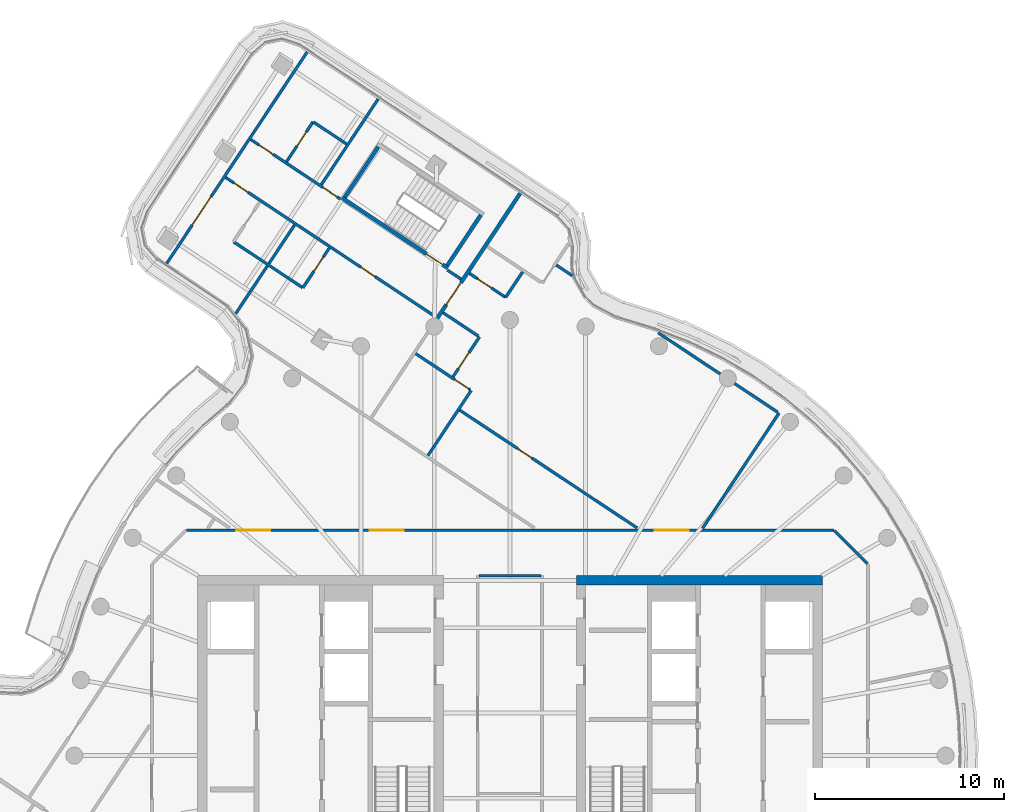
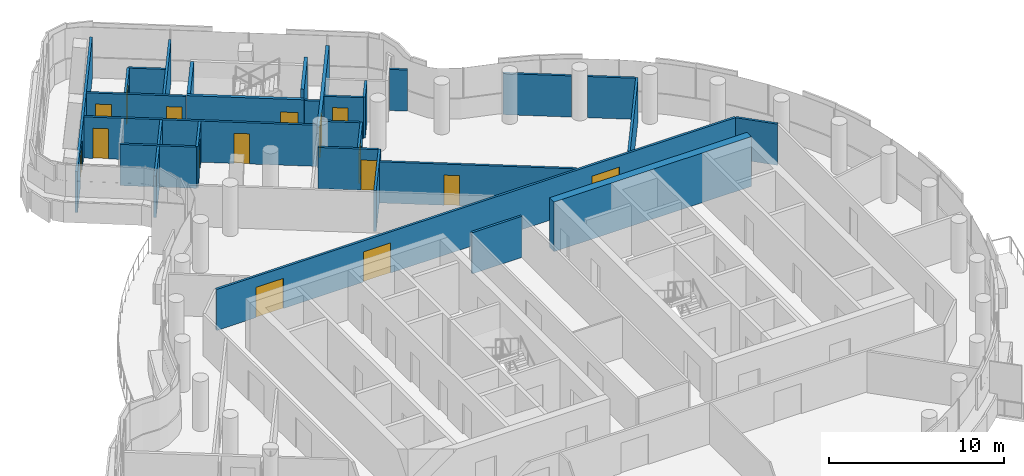
# One storey, part 20 of 27: 29 walls, 16 doors, 16 openings.
"""IFC4 building model written with IfcOpenShell, lengths in metres."""

from ifc_helpers import new_model, si_unit, direction, frame, frame_2d, origin, place, context, subcontext, project, spatial, polyline, rectangle, outline, extrude, material, layer, layer_set, type_object, element, fill, save


model = new_model("IFC4")

# Units and contexts
model_context = context("Model", 3, precision=1e-05, world=origin(), true_north=direction((0.0, 1.0)))
body_context = subcontext(model_context, "Body", "Model", "MODEL_VIEW")
ifc_project = project(units=[si_unit("LENGTHUNIT", "METRE"), si_unit("AREAUNIT", "SQUARE_METRE"), si_unit("VOLUMEUNIT", "CUBIC_METRE"), si_unit("PLANEANGLEUNIT", "RADIAN"), si_unit("MASSUNIT", "GRAM", prefix="KILO")], contexts=[model_context])

# Site, building, storey
site_placement = place(None, origin())
site = spatial("IfcSite", under=ifc_project, at=site_placement, CompositionType="ELEMENT")
building_placement = place(site_placement, origin())
building = spatial("IfcBuilding", under=site, at=building_placement, Name="Tamarind Cross Interchange Tower", CompositionType="ELEMENT")
storey_placement = place(building_placement, frame((0.0, 0.0, 237.89990234375)))
storey = spatial("IfcBuildingStorey", under=building, at=storey_placement, Name="L60", CompositionType="ELEMENT", Elevation=237.89990234375)

# Walls
ifc_material_1 = material(Name="Concrete C50", Category="concrete")
ifc_layer_1 = layer(ifc_material_1, 0.5)
ifc_layer_set_1 = layer_set([ifc_layer_1], Name="Concrete C50")
wall_type_1 = type_object("IfcWallType", Name="Core wall 500 mm Concrete C50", PredefinedType="SHEAR", material=ifc_layer_set_1)
wall_1_placement = place(storey_placement, frame((16.5, 9.25, 0.0), z_axis=(0.0, 0.0, 1.0), x_axis=(-1.0, 0.0, 0.0)))
element("IfcWall", 1, at=wall_1_placement, inside=storey, type_object=wall_type_1, Name="Core wall CWL-L60-E-NE", PredefinedType="SHEAR", context=body_context, shape_type="SweptSolid", body=[
    extrude(rectangle(XDim=13.0, YDim=0.5, at=frame_2d((6.5, 0.0))), origin(), (0.0, 0.0, 1.0), 3.460205078125),
])
ifc_material_2 = material(Name="Gypsum board partition on steel studs", Category="steel")
ifc_layer_2 = layer(ifc_material_2, 0.14990234375)
ifc_layer_set_2 = layer_set([ifc_layer_2], Name="Gypsum board partition on steel studs")
wall_type_2 = type_object("IfcWallType", Name="Partition 150 mm EI 120", PredefinedType="PARTITIONING", material=ifc_layer_set_2)
wall_2_placement = place(storey_placement, frame((17.12841796875, 11.87158203125, 0.0), z_axis=(0.0, 0.0, 1.0), x_axis=(0.707106781187, -0.707106781187, 0.0)))
element("IfcWall", 2, at=wall_2_placement, inside=storey, type_object=wall_type_2, Name="Partition L60-003", PredefinedType="PARTITIONING", context=body_context, shape_type="SweptSolid", body=[
    extrude(rectangle(XDim=2.465087890625, YDim=0.14990234375, at=frame_2d((1.232421875, 0.0))), origin(), (0.0, 0.0, 1.0), 2.864013671875),
])

# Wall, openings, doors
wall_3_placement = place(storey_placement, frame((-15.009521484375, 30.52490234375, 0.0), z_axis=(0.0, 0.0, 1.0), x_axis=(0.833117507286, -0.553096030589, 0.0)))
wall_3 = element("IfcWall", 3, at=wall_3_placement, inside=storey, type_object=wall_type_2, Name="Partition L60-013", PredefinedType="PARTITIONING", context=body_context, shape_type="SweptSolid", body=[
    extrude(rectangle(XDim=13.319580078125, YDim=0.14990234375, at=frame_2d((6.65966796875, 0.0))), origin(), (0.0, 0.0, 1.0), 2.864013671875),
])
opening_1_placement = place(wall_3_placement, frame((8.5693359375, 0.0, 0.0)))
opening_1 = element("IfcOpeningElement", 4, at=opening_1_placement, cuts=wall_3, Name="Opening D05", PredefinedType="OPENING", context=body_context, shape_type="SweptSolid", body=[
    extrude(rectangle(XDim=0.89990234375, YDim=2.10009765625, at=frame_2d((0.449951171875, 1.050048828125))), frame((0.0, 0.0849609375, 0.0), z_axis=(0.0, -1.0, 0.0), x_axis=(1.0, 0.0, 0.0)), (0.0, 0.0, 1.0), 0.169921875),
])
opening_2_placement = place(wall_3_placement, frame((0.52001953125, 0.0, 0.0)))
opening_2 = element("IfcOpeningElement", 5, at=opening_2_placement, cuts=wall_3, Name="Opening D06", PredefinedType="OPENING", context=body_context, shape_type="SweptSolid", body=[
    extrude(rectangle(XDim=0.89990234375, YDim=2.10009765625, at=frame_2d((0.449951171875, 1.050048828125))), frame((0.0, 0.0849609375, 0.0), z_axis=(0.0, -1.0, 0.0), x_axis=(1.0, 0.0, 0.0)), (0.0, 0.0, 1.0), 0.169921875),
])
ifc_material_3 = material(Name="Fire-resisting door set")
door_type_1 = type_object("IfcDoorType", Name="Interior door 900 x 2100 FD60S", OperationType="SINGLE_SWING_LEFT", PredefinedType="DOOR", material=ifc_material_3)
door_1_placement = place(opening_1_placement, frame((0.89990234375, 0.0, 0.0), z_axis=(0.0, 0.0, 1.0), x_axis=(-1.0, 0.0, 0.0)))
door_1 = element("IfcDoor", 6, at=door_1_placement, inside=storey, type_object=door_type_1, Name="Door D05", OperationType="SINGLE_SWING_RIGHT", OverallHeight=2.10009765625, OverallWidth=0.89990234375, PredefinedType="DOOR", context=body_context, shape_type="SweptSolid", body=[
    extrude(rectangle(XDim=0.89990234375, YDim=2.10009765625, at=frame_2d((0.449951171875, 1.050048828125))), frame((0.0, 0.02490234375, 0.0), z_axis=(0.0, -1.0, 0.0), x_axis=(1.0, 0.0, 0.0)), (0.0, 0.0, 1.0), 0.050048828125),
])
fill(opening_1, door_1)
door_2_placement = place(opening_2_placement, frame((0.89990234375, 0.0, 0.0), z_axis=(0.0, 0.0, 1.0), x_axis=(-1.0, 0.0, 0.0)))
door_2 = element("IfcDoor", 7, at=door_2_placement, inside=storey, type_object=door_type_1, Name="Door D06", OperationType="SINGLE_SWING_LEFT", OverallHeight=2.10009765625, OverallWidth=0.89990234375, PredefinedType="DOOR", context=body_context, shape_type="SweptSolid", body=[
    extrude(rectangle(XDim=0.89990234375, YDim=2.10009765625, at=frame_2d((0.449951171875, 1.050048828125))), frame((0.0, 0.02490234375, 0.0), z_axis=(0.0, -1.0, 0.0), x_axis=(1.0, 0.0, 0.0)), (0.0, 0.0, 1.0), 0.050048828125),
])
fill(opening_2, door_2)

# Wall
wall_4_placement = place(storey_placement, frame((-14.581298828125, 27.119873046875, 0.0), z_axis=(0.0, 0.0, 1.0), x_axis=(0.832953813906, -0.553342519511, 0.0)))
element("IfcWall", 8, at=wall_4_placement, inside=storey, type_object=wall_type_2, Name="Partition L60-014", PredefinedType="PARTITIONING", context=body_context, shape_type="SweptSolid", body=[
    extrude(rectangle(XDim=4.359619140625, YDim=0.14990234375, at=frame_2d((2.1796875, 0.0))), origin(), (0.0, 0.0, 1.0), 2.864013671875),
])

# Wall, openings, doors
wall_5_placement = place(storey_placement, frame((-13.682373046875, 32.52490234375, 0.0), z_axis=(0.0, 0.0, 1.0), x_axis=(0.833100180443, -0.553122128779, 0.0)))
wall_5 = element("IfcWall", 9, at=wall_5_placement, inside=storey, type_object=wall_type_2, Name="Partition L60-015", PredefinedType="PARTITIONING", context=body_context, shape_type="SweptSolid", body=[
    extrude(rectangle(XDim=5.68017578125, YDim=0.14990234375, at=frame_2d((2.840087890625, 0.0))), origin(), (0.0, 0.0, 1.0), 2.864013671875),
])
opening_3_placement = place(wall_5_placement, frame((0.52001953125, 0.0, 0.0)))
opening_3 = element("IfcOpeningElement", 10, at=opening_3_placement, cuts=wall_5, Name="Opening D07", PredefinedType="OPENING", context=body_context, shape_type="SweptSolid", body=[
    extrude(rectangle(XDim=0.89990234375, YDim=2.10009765625, at=frame_2d((0.449951171875, 1.050048828125))), frame((0.0, 0.0849609375, 0.0), z_axis=(0.0, -1.0, 0.0), x_axis=(1.0, 0.0, 0.0)), (0.0, 0.0, 1.0), 0.169921875),
])
opening_4_placement = place(wall_5_placement, frame((4.570068359375, 0.0, 0.0)))
opening_4 = element("IfcOpeningElement", 11, at=opening_4_placement, cuts=wall_5, Name="Opening D08", PredefinedType="OPENING", context=body_context, shape_type="SweptSolid", body=[
    extrude(rectangle(XDim=0.89990234375, YDim=2.10009765625, at=frame_2d((0.449951171875, 1.050048828125))), frame((0.0, 0.0849609375, 0.0), z_axis=(0.0, -1.0, 0.0), x_axis=(1.0, 0.0, 0.0)), (0.0, 0.0, 1.0), 0.169921875),
])
door_3_placement = place(opening_3_placement, origin())
door_3 = element("IfcDoor", 12, at=door_3_placement, inside=storey, type_object=door_type_1, Name="Door D07", OperationType="SINGLE_SWING_RIGHT", OverallHeight=2.10009765625, OverallWidth=0.89990234375, PredefinedType="DOOR", context=body_context, shape_type="SweptSolid", body=[
    extrude(rectangle(XDim=0.89990234375, YDim=2.10009765625, at=frame_2d((0.449951171875, 1.050048828125))), frame((0.0, 0.02490234375, 0.0), z_axis=(0.0, -1.0, 0.0), x_axis=(1.0, 0.0, 0.0)), (0.0, 0.0, 1.0), 0.050048828125),
])
fill(opening_3, door_3)
door_4_placement = place(opening_4_placement, origin())
door_4 = element("IfcDoor", 13, at=door_4_placement, inside=storey, type_object=door_type_1, Name="Door D08", OperationType="SINGLE_SWING_LEFT", OverallHeight=2.10009765625, OverallWidth=0.89990234375, PredefinedType="DOOR", context=body_context, shape_type="SweptSolid", body=[
    extrude(rectangle(XDim=0.89990234375, YDim=2.10009765625, at=frame_2d((0.449951171875, 1.050048828125))), frame((0.0, 0.02490234375, 0.0), z_axis=(0.0, -1.0, 0.0), x_axis=(1.0, 0.0, 0.0)), (0.0, 0.0, 1.0), 0.050048828125),
])
fill(opening_4, door_4)

# Walls
wall_6_placement = place(storey_placement, frame((-3.301513671875, 25.6328125, 0.0), z_axis=(0.0, 0.0, 1.0), x_axis=(0.833097223734, -0.553126582084, 0.0)))
element("IfcWall", 14, at=wall_6_placement, inside=storey, type_object=wall_type_2, Name="Partition L60-016", PredefinedType="PARTITIONING", context=body_context, shape_type="SweptSolid", body=[
    extrude(rectangle(XDim=0.85986328125, YDim=0.14990234375, at=frame_2d((0.429931640625, 0.0))), origin(), (0.0, 0.0, 1.0), 2.864013671875),
])
wall_7_placement = place(storey_placement, frame((-10.37841796875, 33.450927734375, 0.0), z_axis=(0.0, 0.0, 1.0), x_axis=(0.833336009995, -0.552766763153, 0.0)))
element("IfcWall", 15, at=wall_7_placement, inside=storey, type_object=wall_type_2, Name="Partition L60-018", PredefinedType="PARTITIONING", context=body_context, shape_type="SweptSolid", body=[
    extrude(rectangle(XDim=2.099609375, YDim=0.14990234375, at=frame_2d((1.0498046875, 0.0))), origin(), (0.0, 0.0, 1.0), 2.864013671875),
])

# Wall, opening, door
wall_8_placement = place(storey_placement, frame((-4.9794921875, 21.224853515625, 0.0), z_axis=(0.0, 0.0, 1.0), x_axis=(0.833117303945, -0.553096336877, 0.0)))
wall_8 = element("IfcWall", 16, at=wall_8_placement, inside=storey, type_object=wall_type_2, Name="Partition L60-019", PredefinedType="PARTITIONING", context=body_context, shape_type="SweptSolid", body=[
    extrude(rectangle(XDim=3.44482421875, YDim=0.14990234375, at=frame_2d((1.722412109375, 0.0))), origin(), (0.0, 0.0, 1.0), 2.864013671875),
])
opening_5_placement = place(wall_8_placement, frame((2.469482421875, 0.0, 0.0)))
opening_5 = element("IfcOpeningElement", 17, at=opening_5_placement, cuts=wall_8, Name="Opening D09", PredefinedType="OPENING", context=body_context, shape_type="SweptSolid", body=[
    extrude(rectangle(XDim=0.89990234375, YDim=2.10009765625, at=frame_2d((0.449951171875, 1.050048828125))), frame((0.0, 0.0849609375, 0.0), z_axis=(0.0, -1.0, 0.0), x_axis=(1.0, 0.0, 0.0)), (0.0, 0.0, 1.0), 0.169921875),
])
door_5_placement = place(opening_5_placement, frame((0.89990234375, 0.0, 0.0), z_axis=(0.0, 0.0, 1.0), x_axis=(-1.0, 0.0, 0.0)))
door_5 = element("IfcDoor", 18, at=door_5_placement, inside=storey, type_object=door_type_1, Name="Door D09", OperationType="SINGLE_SWING_RIGHT", OverallHeight=2.10009765625, OverallWidth=0.89990234375, PredefinedType="DOOR", context=body_context, shape_type="SweptSolid", body=[
    extrude(rectangle(XDim=0.89990234375, YDim=2.10009765625, at=frame_2d((0.449951171875, 1.050048828125))), frame((0.0, 0.02490234375, 0.0), z_axis=(0.0, -1.0, 0.0), x_axis=(1.0, 0.0, 0.0)), (0.0, 0.0, 1.0), 0.050048828125),
])
fill(opening_5, door_5)

# Wall
wall_9_placement = place(storey_placement, frame((-3.524658203125, 23.379638671875, 0.0), z_axis=(0.0, 0.0, 1.0), x_axis=(0.83314621035, -0.553052793302, 0.0)))
element("IfcWall", 19, at=wall_9_placement, inside=storey, type_object=wall_type_2, Name="Partition L60-020", PredefinedType="PARTITIONING", context=body_context, shape_type="SweptSolid", body=[
    extrude(rectangle(XDim=2.224365234375, YDim=0.14990234375, at=frame_2d((1.1123046875, 0.0))), origin(), (0.0, 0.0, 1.0), 2.864013671875),
])

# Wall, opening, door
wall_10_placement = place(storey_placement, frame((-2.644287109375, 18.23388671875, 0.0), z_axis=(0.0, 0.0, 1.0), x_axis=(0.833101748675, -0.553119766737, 0.0)))
wall_10 = element("IfcWall", 20, at=wall_10_placement, inside=storey, type_object=wall_type_2, Name="Partition L60-021", PredefinedType="PARTITIONING", context=body_context, shape_type="SweptSolid", body=[
    extrude(rectangle(XDim=11.236328125, YDim=0.14990234375, at=frame_2d((5.6181640625, 0.0))), origin(), (0.0, 0.0, 1.0), 2.864013671875),
])
opening_6_placement = place(wall_10_placement, frame((3.669921875, 0.0, 0.0)))
opening_6 = element("IfcOpeningElement", 21, at=opening_6_placement, cuts=wall_10, Name="Opening D10", PredefinedType="OPENING", context=body_context, shape_type="SweptSolid", body=[
    extrude(rectangle(XDim=0.89990234375, YDim=2.10009765625, at=frame_2d((0.449951171875, 1.050048828125))), frame((0.0, 0.0849609375, 0.0), z_axis=(0.0, -1.0, 0.0), x_axis=(1.0, 0.0, 0.0)), (0.0, 0.0, 1.0), 0.169921875),
])
door_6_placement = place(opening_6_placement, frame((0.89990234375, 0.0, 0.0), z_axis=(0.0, 0.0, 1.0), x_axis=(-1.0, 0.0, 0.0)))
door_6 = element("IfcDoor", 22, at=door_6_placement, inside=storey, type_object=door_type_1, Name="Door D10", OperationType="SINGLE_SWING_LEFT", OverallHeight=2.10009765625, OverallWidth=0.89990234375, PredefinedType="DOOR", context=body_context, shape_type="SweptSolid", body=[
    extrude(rectangle(XDim=0.89990234375, YDim=2.10009765625, at=frame_2d((0.449951171875, 1.050048828125))), frame((0.0, 0.02490234375, 0.0), z_axis=(0.0, -1.0, 0.0), x_axis=(1.0, 0.0, 0.0)), (0.0, 0.0, 1.0), 0.050048828125),
])
fill(opening_6, door_6)

wall_11_placement = place(storey_placement, frame((-2.138427734375, 25.4599609375, 0.0), z_axis=(0.0, 0.0, 1.0), x_axis=(0.833269970846, -0.552866309053, 0.0)))
wall_11 = element("IfcWall", 23, at=wall_11_placement, inside=storey, type_object=wall_type_2, Name="Partition L60-022", PredefinedType="PARTITIONING", context=body_context, shape_type="SweptSolid", body=[
    extrude(rectangle(XDim=2.275146484375, YDim=0.14990234375, at=frame_2d((1.1376953125, 0.0))), origin(), (0.0, 0.0, 1.0), 2.864013671875),
])
opening_7_placement = place(wall_11_placement, frame((0.4951171875, 0.0, 0.0)))
opening_7 = element("IfcOpeningElement", 24, at=opening_7_placement, cuts=wall_11, Name="Opening D11", PredefinedType="OPENING", context=body_context, shape_type="SweptSolid", body=[
    extrude(rectangle(XDim=0.89990234375, YDim=2.10009765625, at=frame_2d((0.449951171875, 1.050048828125))), frame((0.0, 0.0849609375, 0.0), z_axis=(0.0, -1.0, 0.0), x_axis=(1.0, 0.0, 0.0)), (0.0, 0.0, 1.0), 0.169921875),
])
door_7_placement = place(opening_7_placement, origin())
door_7 = element("IfcDoor", 25, at=door_7_placement, inside=storey, type_object=door_type_1, Name="Door D11", OperationType="SINGLE_SWING_RIGHT", OverallHeight=2.10009765625, OverallWidth=0.89990234375, PredefinedType="DOOR", context=body_context, shape_type="SweptSolid", body=[
    extrude(rectangle(XDim=0.89990234375, YDim=2.10009765625, at=frame_2d((0.449951171875, 1.050048828125))), frame((0.0, 0.02490234375, 0.0), z_axis=(0.0, -1.0, 0.0), x_axis=(1.0, 0.0, 0.0)), (0.0, 0.0, 1.0), 0.050048828125),
])
fill(opening_7, door_7)

# Walls
wall_12_placement = place(storey_placement, frame((2.444580078125, 25.898681640625, 0.0), z_axis=(0.0, 0.0, 1.0), x_axis=(0.832974807339, -0.553310916519, 0.0)))
element("IfcWall", 26, at=wall_12_placement, inside=storey, type_object=wall_type_2, Name="Partition L60-024", PredefinedType="PARTITIONING", context=body_context, shape_type="SweptSolid", body=[
    extrude(rectangle(XDim=1.014404296875, YDim=0.14990234375, at=frame_2d((0.50732421875, 0.0))), origin(), (0.0, 0.0, 1.0), 2.864013671875),
])
wall_13_placement = place(storey_placement, frame((7.827880859375, 22.32177734375, 0.0), z_axis=(0.0, 0.0, 1.0), x_axis=(0.832880849794, -0.553452337646, 0.0)))
element("IfcWall", 27, at=wall_13_placement, inside=storey, type_object=wall_type_2, Name="Partition L60-025", PredefinedType="PARTITIONING", context=body_context, shape_type="SweptSolid", body=[
    extrude(rectangle(XDim=3.929931640625, YDim=0.14990234375, at=frame_2d((1.96484375, 0.0))), origin(), (0.0, 0.0, 1.0), 2.864013671875),
])
wall_14_placement = place(storey_placement, frame((11.855224609375, 19.6455078125, 0.0), z_axis=(0.0, 0.0, 1.0), x_axis=(0.832883714018, -0.553448027302, 0.0)))
element("IfcWall", 28, at=wall_14_placement, inside=storey, type_object=wall_type_2, Name="Partition L60-026", PredefinedType="PARTITIONING", context=body_context, shape_type="SweptSolid", body=[
    extrude(rectangle(XDim=2.74609375, YDim=0.14990234375, at=frame_2d((1.373046875, 0.0))), origin(), (0.0, 0.0, 1.0), 2.864013671875),
])

# Wall, openings, doors
wall_15_placement = place(storey_placement, frame((-17.06494140625, 11.89990234375, 0.0), z_axis=(0.0, 0.0, 1.0), x_axis=(1.0, 0.0, 0.0)))
wall_15 = element("IfcWall", 29, at=wall_15_placement, inside=storey, type_object=wall_type_2, Name="Partition L60-028", PredefinedType="PARTITIONING", context=body_context, shape_type="SweptSolid", body=[
    extrude(rectangle(XDim=34.1650390625, YDim=0.14990234375, at=frame_2d((17.08251953125, 0.0))), origin(), (0.0, 0.0, 1.0), 2.864013671875),
])
opening_8_placement = place(wall_15_placement, frame((24.7109375, 0.0, 0.0)))
opening_8 = element("IfcOpeningElement", 30, at=opening_8_placement, cuts=wall_15, Name="Opening D16", PredefinedType="OPENING", context=body_context, shape_type="SweptSolid", body=[
    extrude(rectangle(XDim=1.800048828125, YDim=2.10009765625, at=frame_2d((0.89990234375, 1.050048828125))), frame((0.0, 0.0849609375, 0.0), z_axis=(0.0, -1.0, 0.0), x_axis=(1.0, 0.0, 0.0)), (0.0, 0.0, 1.0), 0.169921875),
])
opening_9_placement = place(wall_15_placement, frame((9.652099609375, 0.0, 0.0)))
opening_9 = element("IfcOpeningElement", 31, at=opening_9_placement, cuts=wall_15, Name="Opening D17", PredefinedType="OPENING", context=body_context, shape_type="SweptSolid", body=[
    extrude(rectangle(XDim=1.800048828125, YDim=2.10009765625, at=frame_2d((0.89990234375, 1.050048828125))), frame((0.0, 0.0849609375, 0.0), z_axis=(0.0, -1.0, 0.0), x_axis=(1.0, 0.0, 0.0)), (0.0, 0.0, 1.0), 0.169921875),
])
opening_10_placement = place(wall_15_placement, frame((2.60205078125, 0.0, 0.0)))
opening_10 = element("IfcOpeningElement", 32, at=opening_10_placement, cuts=wall_15, Name="Opening D18", PredefinedType="OPENING", context=body_context, shape_type="SweptSolid", body=[
    extrude(rectangle(XDim=1.800048828125, YDim=2.10009765625, at=frame_2d((0.89990234375, 1.050048828125))), frame((0.0, 0.0849609375, 0.0), z_axis=(0.0, -1.0, 0.0), x_axis=(1.0, 0.0, 0.0)), (0.0, 0.0, 1.0), 0.169921875),
])
door_type_2 = type_object("IfcDoorType", Name="Interior door 1800 x 2100 FD60S", OperationType="DOUBLE_DOOR_SINGLE_SWING", PredefinedType="DOOR", material=ifc_material_3)
door_8_placement = place(opening_8_placement, frame((1.800048828125, 0.0, 0.0), z_axis=(0.0, 0.0, 1.0), x_axis=(-1.0, 0.0, 0.0)))
door_8 = element("IfcDoor", 33, at=door_8_placement, inside=storey, type_object=door_type_2, Name="Door D16", OperationType="DOUBLE_DOOR_SINGLE_SWING", OverallHeight=2.10009765625, OverallWidth=1.800048828125, PredefinedType="DOOR", context=body_context, shape_type="SweptSolid", body=[
    extrude(rectangle(XDim=1.800048828125, YDim=2.10009765625, at=frame_2d((0.89990234375, 1.050048828125))), frame((0.0, 0.02490234375, 0.0), z_axis=(0.0, -1.0, 0.0), x_axis=(1.0, 0.0, 0.0)), (0.0, 0.0, 1.0), 0.050048828125),
])
fill(opening_8, door_8)
door_9_placement = place(opening_9_placement, origin())
door_9 = element("IfcDoor", 34, at=door_9_placement, inside=storey, type_object=door_type_2, Name="Door D17", OperationType="DOUBLE_DOOR_SINGLE_SWING", OverallHeight=2.10009765625, OverallWidth=1.800048828125, PredefinedType="DOOR", context=body_context, shape_type="SweptSolid", body=[
    extrude(rectangle(XDim=1.800048828125, YDim=2.10009765625, at=frame_2d((0.89990234375, 1.050048828125))), frame((0.0, 0.02490234375, 0.0), z_axis=(0.0, -1.0, 0.0), x_axis=(1.0, 0.0, 0.0)), (0.0, 0.0, 1.0), 0.050048828125),
])
fill(opening_9, door_9)
door_10_placement = place(opening_10_placement, origin())
door_10 = element("IfcDoor", 35, at=door_10_placement, inside=storey, type_object=door_type_2, Name="Door D18", OperationType="DOUBLE_DOOR_SINGLE_SWING", OverallHeight=2.10009765625, OverallWidth=1.800048828125, PredefinedType="DOOR", context=body_context, shape_type="SweptSolid", body=[
    extrude(rectangle(XDim=1.800048828125, YDim=2.10009765625, at=frame_2d((0.89990234375, 1.050048828125))), frame((0.0, 0.02490234375, 0.0), z_axis=(0.0, -1.0, 0.0), x_axis=(1.0, 0.0, 0.0)), (0.0, 0.0, 1.0), 0.050048828125),
])
fill(opening_10, door_10)

# Wall
wall_16_placement = place(storey_placement, frame((-1.639892578125, 9.5, 0.0), z_axis=(0.0, 0.0, 1.0), x_axis=(1.0, 0.0, 0.0)))
element("IfcWall", 36, at=wall_16_placement, inside=storey, type_object=wall_type_2, Name="Partition L60-032", PredefinedType="PARTITIONING", context=body_context, shape_type="SweptSolid", body=[
    extrude(rectangle(XDim=3.27978515625, YDim=0.14990234375, at=frame_2d((1.639892578125, 0.0))), origin(), (0.0, 0.0, 1.0), 2.864013671875),
])

# Wall, opening, door
wall_17_placement = place(storey_placement, frame((-18.119384765625, 25.984619140625, 0.0), z_axis=(0.0, 0.0, 1.0), x_axis=(0.55309744158, 0.833116570546, 0.0)))
wall_17 = element("IfcWall", 37, at=wall_17_placement, inside=storey, type_object=wall_type_2, Name="Partition L60-045", PredefinedType="PARTITIONING", context=body_context, shape_type="SweptSolid", body=[
    extrude(rectangle(XDim=13.401611328125, YDim=0.14990234375, at=frame_2d((6.70068359375, 0.0))), origin(), (0.0, 0.0, 1.0), 2.864013671875),
])
opening_11_placement = place(wall_17_placement, frame((2.428955078125, 0.0, 0.0)))
opening_11 = element("IfcOpeningElement", 38, at=opening_11_placement, cuts=wall_17, Name="Opening D22", PredefinedType="OPENING", context=body_context, shape_type="SweptSolid", body=[
    extrude(rectangle(XDim=1.800048828125, YDim=2.10009765625, at=frame_2d((0.89990234375, 1.050048828125))), frame((0.0, 0.0849609375, 0.0), z_axis=(0.0, -1.0, 0.0), x_axis=(1.0, 0.0, 0.0)), (0.0, 0.0, 1.0), 0.169921875),
])
door_11_placement = place(opening_11_placement, origin())
door_11 = element("IfcDoor", 39, at=door_11_placement, inside=storey, type_object=door_type_2, Name="Door D22", OperationType="DOUBLE_DOOR_SINGLE_SWING", OverallHeight=2.10009765625, OverallWidth=1.800048828125, PredefinedType="DOOR", context=body_context, shape_type="SweptSolid", body=[
    extrude(rectangle(XDim=1.800048828125, YDim=2.10009765625, at=frame_2d((0.89990234375, 1.050048828125))), frame((0.0, 0.02490234375, 0.0), z_axis=(0.0, -1.0, 0.0), x_axis=(1.0, 0.0, 0.0)), (0.0, 0.0, 1.0), 0.050048828125),
])
fill(opening_11, door_11)

wall_18_placement = place(storey_placement, frame((-11.788818359375, 31.362548828125, 0.0), z_axis=(0.0, 0.0, 1.0), x_axis=(0.553111776715, 0.83310705342, 0.0)))
wall_18 = element("IfcWall", 40, at=wall_18_placement, inside=storey, type_object=wall_type_2, Name="Partition L60-047", PredefinedType="PARTITIONING", context=body_context, shape_type="SweptSolid", body=[
    extrude(rectangle(XDim=2.52001953125, YDim=0.14990234375, at=frame_2d((1.260009765625, 0.0))), origin(), (0.0, 0.0, 1.0), 2.864013671875),
])
opening_12_placement = place(wall_18_placement, frame((0.969970703125, 0.0, 0.0)))
opening_12 = element("IfcOpeningElement", 41, at=opening_12_placement, cuts=wall_18, Name="Opening D24", PredefinedType="OPENING", context=body_context, shape_type="SweptSolid", body=[
    extrude(rectangle(XDim=0.89990234375, YDim=2.10009765625, at=frame_2d((0.449951171875, 1.050048828125))), frame((0.0, 0.0849609375, 0.0), z_axis=(0.0, -1.0, 0.0), x_axis=(1.0, 0.0, 0.0)), (0.0, 0.0, 1.0), 0.169921875),
])
door_12_placement = place(opening_12_placement, frame((0.89990234375, 0.0, 0.0), z_axis=(0.0, 0.0, 1.0), x_axis=(-1.0, 0.0, 0.0)))
door_12 = element("IfcDoor", 42, at=door_12_placement, inside=storey, type_object=door_type_1, Name="Door D24", OperationType="SINGLE_SWING_RIGHT", OverallHeight=2.10009765625, OverallWidth=0.89990234375, PredefinedType="DOOR", context=body_context, shape_type="SweptSolid", body=[
    extrude(rectangle(XDim=0.89990234375, YDim=2.10009765625, at=frame_2d((0.449951171875, 1.050048828125))), frame((0.0, 0.02490234375, 0.0), z_axis=(0.0, -1.0, 0.0), x_axis=(1.0, 0.0, 0.0)), (0.0, 0.0, 1.0), 0.050048828125),
])
fill(opening_12, door_12)

# Walls
wall_19_placement = place(storey_placement, frame((-14.478515625, 23.333984375, 0.0), z_axis=(0.0, 0.0, 1.0), x_axis=(0.553003913991, 0.833178654978, 0.0)))
element("IfcWall", 43, at=wall_19_placement, inside=storey, type_object=wall_type_2, Name="Partition L60-048", PredefinedType="PARTITIONING", context=body_context, shape_type="SweptSolid", body=[
    extrude(rectangle(XDim=5.616943359375, YDim=0.14990234375, at=frame_2d((2.80859375, 0.0))), origin(), (0.0, 0.0, 1.0), 2.864013671875),
])
wall_20_placement = place(storey_placement, frame((-9.95654296875, 30.147216796875, 0.0), z_axis=(0.0, 0.0, 1.0), x_axis=(0.55298338877, 0.833192277775, 0.0)))
element("IfcWall", 44, at=wall_20_placement, inside=storey, type_object=wall_type_2, Name="Partition L60-049", PredefinedType="PARTITIONING", context=body_context, shape_type="SweptSolid", body=[
    extrude(rectangle(XDim=5.41845703125, YDim=0.14990234375, at=frame_2d((2.709228515625, 0.0))), origin(), (0.0, 0.0, 1.0), 2.864013671875),
])

# Wall, opening, door
wall_21_placement = place(storey_placement, frame((-10.93310546875, 24.697021484375, 0.0), z_axis=(0.0, 0.0, 1.0), x_axis=(0.553111776715, 0.83310705342, 0.0)))
wall_21 = element("IfcWall", 45, at=wall_21_placement, inside=storey, type_object=wall_type_2, Name="Partition L60-050", PredefinedType="PARTITIONING", context=body_context, shape_type="SweptSolid", body=[
    extrude(rectangle(XDim=2.52001953125, YDim=0.14990234375, at=frame_2d((1.260009765625, 0.0))), origin(), (0.0, 0.0, 1.0), 2.864013671875),
])
opening_13_placement = place(wall_21_placement, frame((1.050048828125, 0.0, 0.0)))
opening_13 = element("IfcOpeningElement", 46, at=opening_13_placement, cuts=wall_21, Name="Opening D25", PredefinedType="OPENING", context=body_context, shape_type="SweptSolid", body=[
    extrude(rectangle(XDim=0.89990234375, YDim=2.10009765625, at=frame_2d((0.449951171875, 1.050048828125))), frame((0.0, 0.0849609375, 0.0), z_axis=(0.0, -1.0, 0.0), x_axis=(1.0, 0.0, 0.0)), (0.0, 0.0, 1.0), 0.169921875),
])
door_13_placement = place(opening_13_placement, origin())
door_13 = element("IfcDoor", 47, at=door_13_placement, inside=storey, type_object=door_type_1, Name="Door D25", OperationType="SINGLE_SWING_LEFT", OverallHeight=2.10009765625, OverallWidth=0.89990234375, PredefinedType="DOOR", context=body_context, shape_type="SweptSolid", body=[
    extrude(rectangle(XDim=0.89990234375, YDim=2.10009765625, at=frame_2d((0.449951171875, 1.050048828125))), frame((0.0, 0.02490234375, 0.0), z_axis=(0.0, -1.0, 0.0), x_axis=(1.0, 0.0, 0.0)), (0.0, 0.0, 1.0), 0.050048828125),
])
fill(opening_13, door_13)

# Wall
wall_22_placement = place(storey_placement, frame((-4.32568359375, 15.845703125, 0.0), z_axis=(0.0, 0.0, 1.0), x_axis=(0.55307176982, 0.83313361319, 0.0)))
element("IfcWall", 48, at=wall_22_placement, inside=storey, type_object=wall_type_2, Name="Partition L60-053", PredefinedType="PARTITIONING", context=body_context, shape_type="SweptSolid", body=[
    extrude(rectangle(XDim=4.119873046875, YDim=0.14990234375, at=frame_2d((2.06005859375, 0.0))), origin(), (0.0, 0.0, 1.0), 2.864013671875),
])

# Wall, opening, door
wall_23_placement = place(storey_placement, frame((-3.002685546875, 20.008544921875, 0.0), z_axis=(0.0, 0.0, 1.0), x_axis=(0.553111776715, 0.83310705342, 0.0)))
wall_23 = element("IfcWall", 49, at=wall_23_placement, inside=storey, type_object=wall_type_2, Name="Partition L60-055", PredefinedType="PARTITIONING", context=body_context, shape_type="SweptSolid", body=[
    extrude(rectangle(XDim=2.52001953125, YDim=0.14990234375, at=frame_2d((1.260009765625, 0.0))), origin(), (0.0, 0.0, 1.0), 2.864013671875),
])
opening_14_placement = place(wall_23_placement, frame((0.52001953125, 0.0, 0.0)))
opening_14 = element("IfcOpeningElement", 50, at=opening_14_placement, cuts=wall_23, Name="Opening D28", PredefinedType="OPENING", context=body_context, shape_type="SweptSolid", body=[
    extrude(rectangle(XDim=1.0, YDim=2.10009765625, at=frame_2d((0.5, 1.050048828125))), frame((0.0, 0.0849609375, 0.0), z_axis=(0.0, -1.0, 0.0), x_axis=(1.0, 0.0, 0.0)), (0.0, 0.0, 1.0), 0.169921875),
])
door_type_3 = type_object("IfcDoorType", Name="Interior door 1000 x 2100 FD60S", OperationType="SINGLE_SWING_LEFT", PredefinedType="DOOR", material=ifc_material_3)
door_14_placement = place(opening_14_placement, origin())
door_14 = element("IfcDoor", 51, at=door_14_placement, inside=storey, type_object=door_type_3, Name="Door D28", OperationType="SINGLE_SWING_RIGHT", OverallHeight=2.10009765625, OverallWidth=1.0, PredefinedType="DOOR", context=body_context, shape_type="SweptSolid", body=[
    extrude(rectangle(XDim=1.0, YDim=2.10009765625, at=frame_2d((0.5, 1.050048828125))), frame((0.0, 0.02490234375, 0.0), z_axis=(0.0, -1.0, 0.0), x_axis=(1.0, 0.0, 0.0)), (0.0, 0.0, 1.0), 0.050048828125),
])
fill(opening_14, door_14)

# Walls
wall_24_placement = place(storey_placement, frame((-0.22607421875, 24.19091796875, 0.0), z_axis=(0.0, 0.0, 1.0), x_axis=(0.55306417873, 0.83313865245, 0.0)))
element("IfcWall", 52, at=wall_24_placement, inside=storey, type_object=wall_type_2, Name="Partition L60-056", PredefinedType="PARTITIONING", context=body_context, shape_type="SweptSolid", body=[
    extrude(rectangle(XDim=1.61962890625, YDim=0.14990234375, at=frame_2d((0.809814453125, 0.0))), origin(), (0.0, 0.0, 1.0), 2.864013671875),
])
wall_25_placement = place(storey_placement, frame((10.165283203125, 12.0, 0.0), z_axis=(0.0, 0.0, 1.0), x_axis=(0.553118980709, 0.83310227054, 0.0)))
element("IfcWall", 53, at=wall_25_placement, inside=storey, type_object=wall_type_2, Name="Partition L60-057", PredefinedType="PARTITIONING", context=body_context, shape_type="SweptSolid", body=[
    extrude(rectangle(XDim=7.30908203125, YDim=0.14990234375, at=frame_2d((3.654541015625, 0.0))), origin(), (0.0, 0.0, 1.0), 2.864013671875),
])

# Wall, opening, door
ifc_layer_3 = layer(ifc_material_2, 0.199951171875)
ifc_layer_set_3 = layer_set([ifc_layer_3], Name="Gypsum board partition on steel studs")
wall_type_3 = type_object("IfcWallType", Name="Partition 200 mm EI 180", PredefinedType="PARTITIONING", material=ifc_layer_set_3)
wall_26_placement = place(storey_placement, frame((-3.962890625, 22.900390625, 0.0), z_axis=(0.0, 0.0, 1.0), x_axis=(0.553100489326, 0.833114547171, 0.0)))
wall_26 = element("IfcWall", 54, at=wall_26_placement, inside=storey, type_object=wall_type_3, Name="Partition L60-052", PredefinedType="PARTITIONING", context=body_context, shape_type="SweptSolid", body=[
    extrude(rectangle(XDim=8.140869140625, YDim=0.199951171875, at=frame_2d((4.0703125, 0.0))), origin(), (0.0, 0.0, 1.0), 2.864013671875),
])
opening_15_placement = place(wall_26_placement, frame((1.091796875, 0.0, 0.0)))
opening_15 = element("IfcOpeningElement", 55, at=opening_15_placement, cuts=wall_26, Name="Opening D26", PredefinedType="OPENING", context=body_context, shape_type="SweptSolid", body=[
    extrude(rectangle(XDim=1.39990234375, YDim=2.10009765625, at=frame_2d((0.699951171875, 1.050048828125))), frame((0.0, 0.10986328125, 0.0), z_axis=(0.0, -1.0, 0.0), x_axis=(1.0, 0.0, 0.0)), (0.0, 0.0, 1.0), 0.219970703125),
])
door_type_4 = type_object("IfcDoorType", Name="Interior door 1400 x 2100 FD120S", OperationType="DOUBLE_DOOR_SINGLE_SWING", PredefinedType="DOOR", material=ifc_material_3)
door_15_placement = place(opening_15_placement, frame((1.39990234375, 0.0, 0.0), z_axis=(0.0, 0.0, 1.0), x_axis=(-1.0, 0.0, 0.0)))
door_15 = element("IfcDoor", 56, at=door_15_placement, inside=storey, type_object=door_type_4, Name="Door D26", OperationType="DOUBLE_DOOR_SINGLE_SWING", OverallHeight=2.10009765625, OverallWidth=1.39990234375, PredefinedType="DOOR", context=body_context, shape_type="SweptSolid", body=[
    extrude(rectangle(XDim=1.39990234375, YDim=2.10009765625, at=frame_2d((0.699951171875, 1.050048828125))), frame((0.0, 0.02490234375, 0.0), z_axis=(0.0, -1.0, 0.0), x_axis=(1.0, 0.0, 0.0)), (0.0, 0.0, 1.0), 0.050048828125),
])
fill(opening_15, door_15)

ifc_material_4 = material(Name="Concrete C40", Category="concrete")
ifc_layer_4 = layer(ifc_material_4, 0.199951171875)
ifc_layer_set_4 = layer_set([ifc_layer_4], Name="Concrete C40")
wall_type_4 = type_object("IfcWallType", Name="Stair shaft wall 200 mm Concrete C40", PredefinedType="SHEAR", material=ifc_layer_set_4)
wall_27_placement = place(storey_placement, frame((-3.27978515625, 25.738037109375, -0.139892578125), z_axis=(0.0, 0.0, 1.0), x_axis=(-0.833119462199, 0.553093085931, 0.0)))
wall_27 = element("IfcWall", 57, at=wall_27_placement, inside=storey, type_object=wall_type_4, Name="Core wall CWL-L60-ST4-H", PredefinedType="SHEAR", context=body_context, shape_type="SweptSolid", body=[
    extrude(rectangle(XDim=6.7001953125, YDim=0.199951171875, at=frame_2d((3.35009765625, 0.0))), origin(), (0.0, 0.0, 1.0), 3.00390625),
])
opening_16_placement = place(wall_27_placement, frame((0.35009765625, 0.0, 0.0)))
opening_16 = element("IfcOpeningElement", 58, at=opening_16_placement, cuts=wall_27, Name="Opening ST4L60", PredefinedType="OPENING", context=body_context, shape_type="SweptSolid", body=[
    extrude(rectangle(XDim=1.0, YDim=2.10009765625, at=frame_2d((0.5, 1.050048828125))), frame((0.0, 0.10986328125, 0.0), z_axis=(0.0, -1.0, 0.0), x_axis=(1.0, 0.0, 0.0)), (0.0, 0.0, 1.0), 0.219970703125),
])
ifc_material_5 = material(Name="Steel, fire-resisting", Category="steel")
door_type_5 = type_object("IfcDoorType", Name="Core fire door 1000 x 2100 FD90", OperationType="SINGLE_SWING_LEFT", PredefinedType="DOOR", material=ifc_material_5)
door_16_placement = place(opening_16_placement, origin())
door_16 = element("IfcDoor", 59, at=door_16_placement, inside=storey, type_object=door_type_5, Name="L60 stair door ST4", OperationType="SINGLE_SWING_LEFT", OverallHeight=2.10009765625, OverallWidth=1.0, PredefinedType="DOOR", context=body_context, shape_type="SweptSolid", body=[
    extrude(rectangle(XDim=1.0, YDim=2.10009765625, at=frame_2d((0.5, 1.050048828125))), frame((0.0, 0.02490234375, 0.0), z_axis=(0.0, -1.0, 0.0), x_axis=(1.0, 0.0, 0.0)), (0.0, 0.0, 1.0), 0.050048828125),
])
fill(opening_16, door_16)

# Walls
wall_28_placement = place(storey_placement, frame((-1.537841796875, 28.54248046875, -0.139892578125), z_axis=(0.0, 0.0, 1.0), x_axis=(-0.553149828065, -0.833081789329, 0.0)))
element("IfcWall", 60, at=wall_28_placement, inside=storey, type_object=wall_type_4, Name="Core wall CWL-L60-ST4-CE", PredefinedType="SHEAR", context=body_context, shape_type="SweptSolid", body=[
    extrude(rectangle(XDim=3.199951171875, YDim=0.199951171875, at=frame_2d((1.60009765625, 0.0))), origin(), (0.0, 0.0, 1.0), 3.60009765625),
])
wall_29_placement = place(storey_placement, frame((0.0, 0.0, -0.139892578125)))
element("IfcWall", 61, at=wall_29_placement, inside=storey, type_object=wall_type_4, Name="Core wall CWL-L60-ST4-CF", PredefinedType="SHEAR", context=body_context, shape_type="SweptSolid", body=[
    extrude(outline(polyline([(-6.869873046875, 32.08251953125), (-7.036376953125, 32.193115234375), (-8.806396484375, 29.527099609375), (-8.6396484375, 29.41650390625), (-6.869873046875, 32.08251953125)])), origin(), (0.0, 0.0, 1.0), 3.00390625),
])

save(model, "model.ifc")
